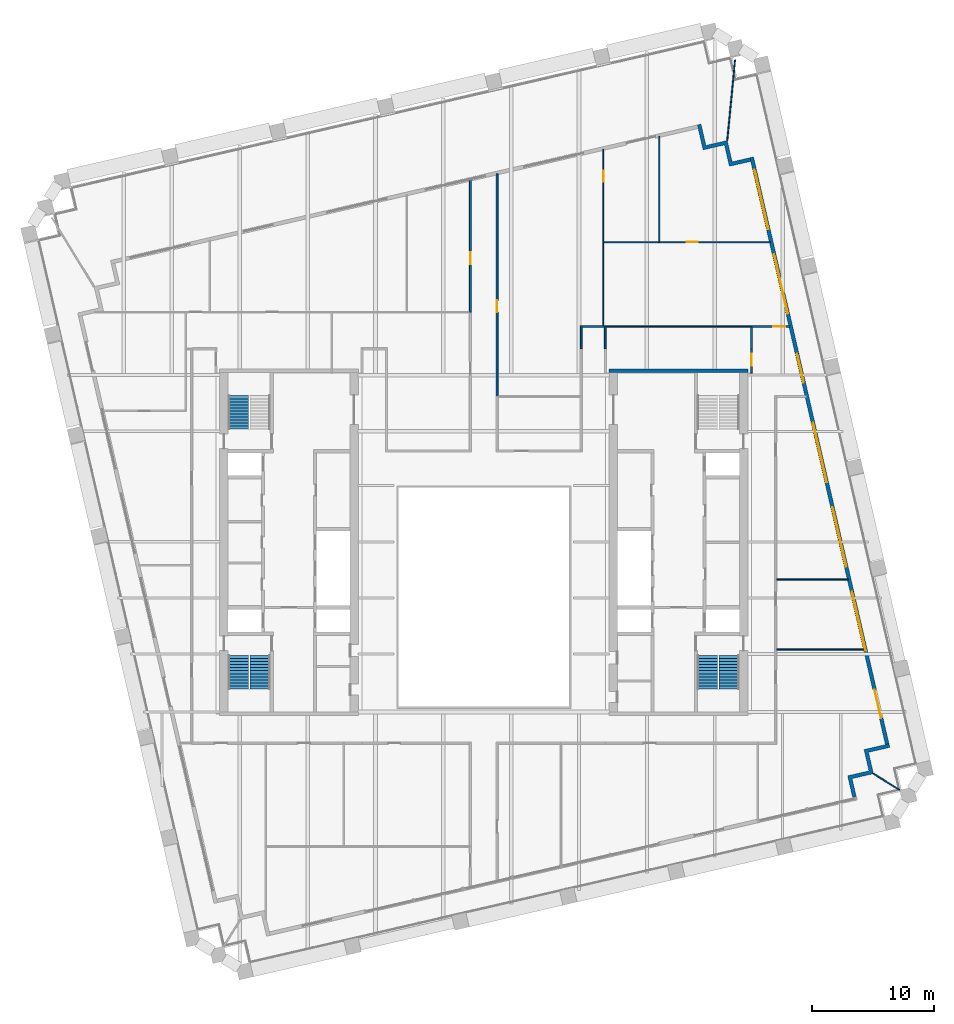
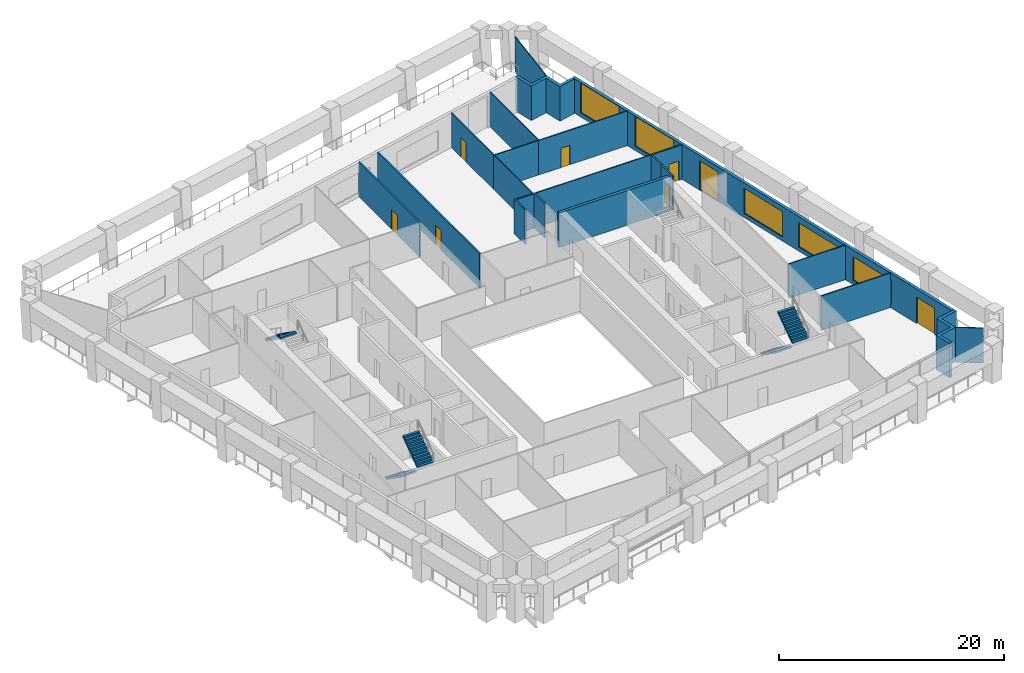
# One storey, part 11 of 14: 22 walls, 8 doors, 5 stair flights, 5 windows, 13 openings, 3 elements without a shape of their own.
"""IFC4 building model written with IfcOpenShell, lengths in metres."""

from ifc_helpers import new_model, si_unit, direction, frame, frame_2d, origin, place, context, subcontext, project, spatial, polyline, rectangle, outline, extrude, material, layer, layer_set, type_object, element, fill, aggregate, save


model = new_model("IFC4")

# Units and contexts
model_context = context("Model", 3, precision=1e-05, world=origin(), true_north=direction((0.0, 1.0)))
body_context = subcontext(model_context, "Body", "Model", "MODEL_VIEW")
ifc_project = project(units=[si_unit("LENGTHUNIT", "METRE"), si_unit("AREAUNIT", "SQUARE_METRE"), si_unit("VOLUMEUNIT", "CUBIC_METRE"), si_unit("PLANEANGLEUNIT", "RADIAN"), si_unit("MASSUNIT", "GRAM", prefix="KILO")], contexts=[model_context])

# Site, building, storey
site_placement = place(None, origin())
site = spatial("IfcSite", under=ifc_project, at=site_placement, CompositionType="ELEMENT")
building_placement = place(site_placement, origin())
building = spatial("IfcBuilding", under=site, at=building_placement, Name="Ogive Exchange Tower", CompositionType="ELEMENT")
storey_placement = place(building_placement, frame((0.0, 0.0, 222.0)))
storey = spatial("IfcBuildingStorey", under=building, at=storey_placement, Name="L49", CompositionType="ELEMENT", Elevation=222.0)

# Wall, opening, door
ifc_material_1 = material(Name="Fire partition EI 60 150")
ifc_layer_1 = layer(ifc_material_1, 0.14990234375)
ifc_layer_set_1 = layer_set([ifc_layer_1], Name="Fire partition EI 60 150")
wall_type_1 = type_object("IfcWallType", Name="Fire partition EI 60 150", PredefinedType="PARTITIONING", material=ifc_layer_set_1)
wall_1_placement = place(storey_placement, frame((-1.10009765625, 30.419921875, 0.0), z_axis=(0.0, 0.0, 1.0), x_axis=(0.0, 1.0, 0.0)))
wall_1 = element("IfcWall", 1, at=wall_1_placement, inside=storey, type_object=wall_type_1, Name="L49-PWL-035", PredefinedType="PARTITIONING", context=body_context, shape_type="SweptSolid", body=[
    extrude(rectangle(XDim=10.85009765625, YDim=0.14990234375, at=frame_2d((5.425048828125, 0.0))), origin(), (0.0, 0.0, 1.0), 3.75),
])
opening_1_placement = place(wall_1_placement, frame((3.929931640625, 0.0, 0.0)))
opening_1 = element("IfcOpeningElement", 2, at=opening_1_placement, cuts=wall_1, Name="Opening L49-I01", PredefinedType="OPENING", context=body_context, shape_type="SweptSolid", body=[
    extrude(rectangle(XDim=1.0, YDim=2.10009765625, at=frame_2d((0.5, 1.050048828125))), frame((0.0, 0.0849609375, 0.0), z_axis=(0.0, -1.0, 0.0), x_axis=(1.0, 0.0, 0.0)), (0.0, 0.0, 1.0), 0.169921875),
])
ifc_material_2 = material(Name="Fire door FD 30S 1000 x 2100")
door_type_1 = type_object("IfcDoorType", Name="Fire door FD 30S 1000 x 2100", OperationType="NOTDEFINED", PredefinedType="DOOR", material=ifc_material_2)
door_1_placement = place(opening_1_placement, origin())
door_1 = element("IfcDoor", 3, at=door_1_placement, inside=storey, type_object=door_type_1, Name="L49-IDR-001", ObjectType="DT3", OperationType="SINGLE_SWING_RIGHT", OverallHeight=2.10009765625, OverallWidth=1.0, PredefinedType="DOOR", context=body_context, shape_type="SweptSolid", body=[
    extrude(rectangle(XDim=1.0, YDim=2.10009765625, at=frame_2d((0.5, 1.050048828125))), frame((0.0, 0.02490234375, 0.0), z_axis=(0.0, -1.0, 0.0), x_axis=(1.0, 0.0, 0.0)), (0.0, 0.0, 1.0), 0.050048828125),
])
fill(opening_1, door_1)

wall_2_placement = place(storey_placement, frame((1.10009765625, 41.778076171875, 0.0), z_axis=(0.0, 0.0, 1.0), x_axis=(0.0, -1.0, 0.0)))
wall_2 = element("IfcWall", 4, at=wall_2_placement, inside=storey, type_object=wall_type_1, Name="L49-PWL-040", PredefinedType="PARTITIONING", context=body_context, shape_type="SweptSolid", body=[
    extrude(rectangle(XDim=18.2880859375, YDim=0.14990234375, at=frame_2d((9.14404296875, 0.0))), origin(), (0.0, 0.0, 1.0), 3.75),
])
opening_2_placement = place(wall_2_placement, frame((10.387939453125, 0.0, 0.0)))
opening_2 = element("IfcOpeningElement", 5, at=opening_2_placement, cuts=wall_2, Name="Opening L49-I20", PredefinedType="OPENING", context=body_context, shape_type="SweptSolid", body=[
    extrude(rectangle(XDim=1.0, YDim=2.10009765625, at=frame_2d((0.5, 1.050048828125))), frame((0.0, 0.0849609375, 0.0), z_axis=(0.0, -1.0, 0.0), x_axis=(1.0, 0.0, 0.0)), (0.0, 0.0, 1.0), 0.169921875),
])
door_2_placement = place(opening_2_placement, origin())
door_2 = element("IfcDoor", 6, at=door_2_placement, inside=storey, type_object=door_type_1, Name="L49-IDR-020", ObjectType="DT3", OperationType="SINGLE_SWING_RIGHT", OverallHeight=2.10009765625, OverallWidth=1.0, PredefinedType="DOOR", context=body_context, shape_type="SweptSolid", body=[
    extrude(rectangle(XDim=1.0, YDim=2.10009765625, at=frame_2d((0.5, 1.050048828125))), frame((0.0, 0.02490234375, 0.0), z_axis=(0.0, -1.0, 0.0), x_axis=(1.0, 0.0, 0.0)), (0.0, 0.0, 1.0), 0.050048828125),
])
fill(opening_2, door_2)

# Walls
wall_3_placement = place(storey_placement, frame((8.010009765625, 27.39990234375, 0.0), z_axis=(0.0, 0.0, 1.0), x_axis=(0.0, 1.0, 0.0)))
element("IfcWall", 7, at=wall_3_placement, inside=storey, type_object=wall_type_1, Name="L49-PWL-045", PredefinedType="PARTITIONING", context=body_context, shape_type="SweptSolid", body=[
    extrude(rectangle(XDim=1.9150390625, YDim=0.14990234375, at=frame_2d((0.95751953125, 0.0))), origin(), (0.0, 0.0, 1.0), 3.75),
])
wall_4_placement = place(storey_placement, frame((8.0849609375, 29.239990234375, 0.0), z_axis=(0.0, 0.0, 1.0), x_axis=(1.0, 0.0, 0.0)))
element("IfcWall", 8, at=wall_4_placement, inside=storey, type_object=wall_type_1, Name="L49-PWL-046", PredefinedType="PARTITIONING", context=body_context, shape_type="SweptSolid", body=[
    extrude(rectangle(XDim=1.794921875, YDim=0.14990234375, at=frame_2d((0.8974609375, 0.0))), origin(), (0.0, 0.0, 1.0), 3.75),
])
wall_5_placement = place(storey_placement, frame((9.989990234375, 29.2900390625, 0.0), z_axis=(0.0, 0.0, 1.0), x_axis=(0.0, -1.0, 0.0)))
element("IfcWall", 9, at=wall_5_placement, inside=storey, type_object=wall_type_1, Name="L49-PWL-050", PredefinedType="PARTITIONING", context=body_context, shape_type="SweptSolid", body=[
    extrude(rectangle(XDim=1.89013671875, YDim=0.14990234375, at=frame_2d((0.945068359375, 0.0))), origin(), (0.0, 0.0, 1.0), 3.75),
])

# Wall, opening, door
wall_6_placement = place(storey_placement, frame((22.0, 25.39990234375, 0.0), z_axis=(0.0, 0.0, 1.0), x_axis=(0.0, 1.0, 0.0)))
wall_6 = element("IfcWall", 10, at=wall_6_placement, inside=storey, type_object=wall_type_1, Name="L49-PWL-056", PredefinedType="PARTITIONING", context=body_context, shape_type="SweptSolid", body=[
    extrude(rectangle(XDim=2.0, YDim=0.14990234375, at=frame_2d((1.0, 0.0))), origin(), (0.0, 0.0, 1.0), 3.75),
])
opening_3_placement = place(wall_6_placement, frame((0.60009765625, 0.0, 0.0)))
opening_3 = element("IfcOpeningElement", 11, at=opening_3_placement, cuts=wall_6, Name="Opening L49-I14", PredefinedType="OPENING", context=body_context, shape_type="SweptSolid", body=[
    extrude(rectangle(XDim=1.0, YDim=2.10009765625, at=frame_2d((0.5, 1.050048828125))), frame((0.0, 0.0849609375, 0.0), z_axis=(0.0, -1.0, 0.0), x_axis=(1.0, 0.0, 0.0)), (0.0, 0.0, 1.0), 0.169921875),
])
door_3_placement = place(opening_3_placement, origin())
door_3 = element("IfcDoor", 12, at=door_3_placement, inside=storey, type_object=door_type_1, Name="L49-IDR-014", ObjectType="DT3", OperationType="SINGLE_SWING_LEFT", OverallHeight=2.10009765625, OverallWidth=1.0, PredefinedType="DOOR", context=body_context, shape_type="SweptSolid", body=[
    extrude(rectangle(XDim=1.0, YDim=2.10009765625, at=frame_2d((0.5, 1.050048828125))), frame((0.0, 0.02490234375, 0.0), z_axis=(0.0, -1.0, 0.0), x_axis=(1.0, 0.0, 0.0)), (0.0, 0.0, 1.0), 0.050048828125),
])
fill(opening_3, door_3)

# Wall
wall_7_placement = place(storey_placement, frame((22.010009765625, 27.39990234375, 0.0), z_axis=(0.0, 0.0, 1.0), x_axis=(0.0, 1.0, 0.0)))
element("IfcWall", 13, at=wall_7_placement, inside=storey, type_object=wall_type_1, Name="L49-PWL-057", PredefinedType="PARTITIONING", context=body_context, shape_type="SweptSolid", body=[
    extrude(rectangle(XDim=1.7900390625, YDim=0.14990234375, at=frame_2d((0.89501953125, 0.0))), origin(), (0.0, 0.0, 1.0), 3.75),
])

# Wall, opening, door
wall_8_placement = place(storey_placement, frame((22.010009765625, 29.239990234375, 0.0), z_axis=(0.0, 0.0, 1.0), x_axis=(1.0, 0.0, 0.0)))
wall_8 = element("IfcWall", 14, at=wall_8_placement, inside=storey, type_object=wall_type_1, Name="L49-PWL-058", PredefinedType="PARTITIONING", context=body_context, shape_type="SweptSolid", body=[
    extrude(rectangle(XDim=3.14990234375, YDim=0.14990234375, at=frame_2d((1.574951171875, 0.0))), origin(), (0.0, 0.0, 1.0), 3.75),
])
opening_4_placement = place(wall_8_placement, frame((1.77001953125, 0.0, 0.0)))
opening_4 = element("IfcOpeningElement", 15, at=opening_4_placement, cuts=wall_8, Name="Opening L49-I21", PredefinedType="OPENING", context=body_context, shape_type="SweptSolid", body=[
    extrude(rectangle(XDim=1.0, YDim=2.10009765625, at=frame_2d((0.5, 1.050048828125))), frame((0.0, 0.0849609375, 0.0), z_axis=(0.0, -1.0, 0.0), x_axis=(1.0, 0.0, 0.0)), (0.0, 0.0, 1.0), 0.169921875),
])
door_4_placement = place(opening_4_placement, origin())
door_4 = element("IfcDoor", 16, at=door_4_placement, inside=storey, type_object=door_type_1, Name="L49-IDR-021", ObjectType="DT3", OperationType="SINGLE_SWING_LEFT", OverallHeight=2.10009765625, OverallWidth=1.0, PredefinedType="DOOR", context=body_context, shape_type="SweptSolid", body=[
    extrude(rectangle(XDim=1.0, YDim=2.10009765625, at=frame_2d((0.5, 1.050048828125))), frame((0.0, 0.02490234375, 0.0), z_axis=(0.0, -1.0, 0.0), x_axis=(1.0, 0.0, 0.0)), (0.0, 0.0, 1.0), 0.050048828125),
])
fill(opening_4, door_4)

# Wall, openings, windows, doors
ifc_material_3 = material(Name="Precast concrete C40/50", Category="concrete")
ifc_layer_2 = layer(ifc_material_3, 0.300048828125)
ifc_layer_set_2 = layer_set([ifc_layer_2], Name="Limestone-faced wall 300")
wall_type_2 = type_object("IfcWallType", Name="Limestone-faced wall 300", PredefinedType="STANDARD", material=ifc_layer_set_2)
wall_9_placement = place(storey_placement, frame((33.1572265625, -5.092041015625, 0.0), z_axis=(0.0, 0.0, 1.0), x_axis=(-0.224950279389, 0.974370243697, 0.0)))
wall_9 = element("IfcWall", 17, at=wall_9_placement, inside=storey, type_object=wall_type_2, Name="External wall E3", PredefinedType="STANDARD", context=body_context, shape_type="SweptSolid", body=[
    extrude(rectangle(XDim=49.499755859375, YDim=0.300048828125, at=frame_2d((24.75, 0.0))), origin(), (0.0, 0.0, 1.0), 3.75),
])
opening_5_placement = place(wall_9_placement, frame((2.20703125, 0.0, 0.0)))
opening_5 = element("IfcOpeningElement", 18, at=opening_5_placement, cuts=wall_9, Name="Opening D1Q", PredefinedType="OPENING", context=body_context, shape_type="SweptSolid", body=[
    extrude(rectangle(XDim=2.39990234375, YDim=2.875, at=frame_2d((1.199951171875, 1.4375))), frame((0.0, 0.159912109375, 0.0), z_axis=(0.0, -1.0, 0.0), x_axis=(1.0, 0.0, 0.0)), (0.0, 0.0, 1.0), 0.320068359375),
])
opening_6_placement = place(wall_9_placement, frame((7.871337890625, 0.0, 0.449951171875)))
opening_6 = element("IfcOpeningElement", 19, at=opening_6_placement, cuts=wall_9, Name="Opening W2K", PredefinedType="OPENING", context=body_context, shape_type="SweptSolid", body=[
    extrude(rectangle(XDim=5.0, YDim=2.574951171875, at=frame_2d((2.5, 1.28759765625))), frame((0.0, 0.159912109375, 0.0), z_axis=(0.0, -1.0, 0.0), x_axis=(1.0, 0.0, 0.0)), (0.0, 0.0, 1.0), 0.320068359375),
])
opening_7_placement = place(wall_9_placement, frame((14.985595703125, 0.0, 0.449951171875)))
opening_7 = element("IfcOpeningElement", 20, at=opening_7_placement, cuts=wall_9, Name="Opening W2J", PredefinedType="OPENING", context=body_context, shape_type="SweptSolid", body=[
    extrude(rectangle(XDim=5.0, YDim=2.625, at=frame_2d((2.5, 1.3125))), frame((0.0, 0.159912109375, 0.0), z_axis=(0.0, -1.0, 0.0), x_axis=(1.0, 0.0, 0.0)), (0.0, 0.0, 1.0), 0.320068359375),
])
opening_8_placement = place(wall_9_placement, frame((22.10009765625, 0.0, 0.449951171875)))
opening_8 = element("IfcOpeningElement", 21, at=opening_8_placement, cuts=wall_9, Name="Opening W2F", PredefinedType="OPENING", context=body_context, shape_type="SweptSolid", body=[
    extrude(rectangle(XDim=5.0, YDim=2.75, at=frame_2d((2.5, 1.375))), frame((0.0, 0.159912109375, 0.0), z_axis=(0.0, -1.0, 0.0), x_axis=(1.0, 0.0, 0.0)), (0.0, 0.0, 1.0), 0.320068359375),
])
opening_9_placement = place(wall_9_placement, frame((30.51416015625, 0.0, 0.0)))
opening_9 = element("IfcOpeningElement", 22, at=opening_9_placement, cuts=wall_9, Name="Opening D1H", PredefinedType="OPENING", context=body_context, shape_type="SweptSolid", body=[
    extrude(rectangle(XDim=2.39990234375, YDim=3.199951171875, at=frame_2d((1.199951171875, 1.60009765625))), frame((0.0, 0.159912109375, 0.0), z_axis=(0.0, -1.0, 0.0), x_axis=(1.0, 0.0, 0.0)), (0.0, 0.0, 1.0), 0.320068359375),
])
opening_10_placement = place(wall_9_placement, frame((36.32861328125, 0.0, 0.449951171875)))
opening_10 = element("IfcOpeningElement", 23, at=opening_10_placement, cuts=wall_9, Name="Opening W2", PredefinedType="OPENING", context=body_context, shape_type="SweptSolid", body=[
    extrude(rectangle(XDim=5.0, YDim=3.25, at=frame_2d((2.5, 1.625))), frame((0.0, 0.159912109375, 0.0), z_axis=(0.0, -1.0, 0.0), x_axis=(1.0, 0.0, 0.0)), (0.0, 0.0, 1.0), 0.320068359375),
])
opening_11_placement = place(wall_9_placement, frame((43.44287109375, 0.0, 0.449951171875)))
opening_11 = element("IfcOpeningElement", 24, at=opening_11_placement, cuts=wall_9, Name="Opening W2", PredefinedType="OPENING", context=body_context, shape_type="SweptSolid", body=[
    extrude(rectangle(XDim=5.0, YDim=3.25, at=frame_2d((2.5, 1.625))), frame((0.0, 0.159912109375, 0.0), z_axis=(0.0, -1.0, 0.0), x_axis=(1.0, 0.0, 0.0)), (0.0, 0.0, 1.0), 0.320068359375),
])
ifc_material_4 = material(Name="Clear glass in bronze frame", Category="glass")
window_type_1 = type_object("IfcWindowType", Name="Executive lancet window 5000 x 2575", PartitioningType="DOUBLE_PANEL_VERTICAL", PredefinedType="WINDOW", material=ifc_material_4)
window_1_placement = place(opening_6_placement, origin())
window_1 = element("IfcWindow", 25, at=window_1_placement, inside=storey, type_object=window_type_1, Name="Window E01", OverallHeight=2.574951171875, OverallWidth=5.0, PartitioningType="DOUBLE_PANEL_VERTICAL", PredefinedType="WINDOW", context=body_context, shape_type="SweptSolid", body=[
    extrude(rectangle(XDim=5.0, YDim=2.574951171875, at=frame_2d((2.5, 1.28759765625))), frame((0.0, 0.030029296875, 0.0), z_axis=(0.0, -1.0, 0.0), x_axis=(1.0, 0.0, 0.0)), (0.0, 0.0, 1.0), 0.06005859375),
])
fill(opening_6, window_1)
window_type_2 = type_object("IfcWindowType", Name="Executive lancet window 5000 x 2625", PartitioningType="DOUBLE_PANEL_VERTICAL", PredefinedType="WINDOW", material=ifc_material_4)
window_2_placement = place(opening_7_placement, origin())
window_2 = element("IfcWindow", 26, at=window_2_placement, inside=storey, type_object=window_type_2, Name="Window E02", OverallHeight=2.625, OverallWidth=5.0, PartitioningType="DOUBLE_PANEL_VERTICAL", PredefinedType="WINDOW", context=body_context, shape_type="SweptSolid", body=[
    extrude(rectangle(XDim=5.0, YDim=2.625, at=frame_2d((2.5, 1.3125))), frame((0.0, 0.030029296875, 0.0), z_axis=(0.0, -1.0, 0.0), x_axis=(1.0, 0.0, 0.0)), (0.0, 0.0, 1.0), 0.06005859375),
])
fill(opening_7, window_2)
window_type_3 = type_object("IfcWindowType", Name="Executive lancet window 5000 x 2750", PartitioningType="DOUBLE_PANEL_VERTICAL", PredefinedType="WINDOW", material=ifc_material_4)
window_3_placement = place(opening_8_placement, origin())
window_3 = element("IfcWindow", 27, at=window_3_placement, inside=storey, type_object=window_type_3, Name="Window E03", OverallHeight=2.75, OverallWidth=5.0, PartitioningType="DOUBLE_PANEL_VERTICAL", PredefinedType="WINDOW", context=body_context, shape_type="SweptSolid", body=[
    extrude(rectangle(XDim=5.0, YDim=2.75, at=frame_2d((2.5, 1.375))), frame((0.0, 0.030029296875, 0.0), z_axis=(0.0, -1.0, 0.0), x_axis=(1.0, 0.0, 0.0)), (0.0, 0.0, 1.0), 0.06005859375),
])
fill(opening_8, window_3)
window_type_4 = type_object("IfcWindowType", Name="Executive lancet window 5000 x 3250", PartitioningType="DOUBLE_PANEL_VERTICAL", PredefinedType="WINDOW", material=ifc_material_4)
window_4_placement = place(opening_10_placement, origin())
window_4 = element("IfcWindow", 28, at=window_4_placement, inside=storey, type_object=window_type_4, Name="Window E05", OverallHeight=3.25, OverallWidth=5.0, PartitioningType="DOUBLE_PANEL_VERTICAL", PredefinedType="WINDOW", context=body_context, shape_type="SweptSolid", body=[
    extrude(rectangle(XDim=5.0, YDim=3.25, at=frame_2d((2.5, 1.625))), frame((0.0, 0.030029296875, 0.0), z_axis=(0.0, -1.0, 0.0), x_axis=(1.0, 0.0, 0.0)), (0.0, 0.0, 1.0), 0.06005859375),
])
fill(opening_10, window_4)
window_5_placement = place(opening_11_placement, origin())
window_5 = element("IfcWindow", 29, at=window_5_placement, inside=storey, type_object=window_type_4, Name="Window E06", OverallHeight=3.25, OverallWidth=5.0, PartitioningType="DOUBLE_PANEL_VERTICAL", PredefinedType="WINDOW", context=body_context, shape_type="SweptSolid", body=[
    extrude(rectangle(XDim=5.0, YDim=3.25, at=frame_2d((2.5, 1.625))), frame((0.0, 0.030029296875, 0.0), z_axis=(0.0, -1.0, 0.0), x_axis=(1.0, 0.0, 0.0)), (0.0, 0.0, 1.0), 0.06005859375),
])
fill(opening_11, window_5)
door_type_2 = type_object("IfcDoorType", Name="Sliding loggia door 2400 x 2875", OperationType="DOUBLE_DOOR_SLIDING", PredefinedType="DOOR", material=ifc_material_4)
door_5_placement = place(opening_5_placement, origin())
door_5 = element("IfcDoor", 30, at=door_5_placement, inside=storey, type_object=door_type_2, Name="Loggia door E00", OperationType="DOUBLE_DOOR_SLIDING", OverallHeight=2.875, OverallWidth=2.39990234375, PredefinedType="DOOR", context=body_context, shape_type="SweptSolid", body=[
    extrude(rectangle(XDim=2.39990234375, YDim=2.875, at=frame_2d((1.199951171875, 1.4375))), frame((0.0, 0.02490234375, 0.0), z_axis=(0.0, -1.0, 0.0), x_axis=(1.0, 0.0, 0.0)), (0.0, 0.0, 1.0), 0.050048828125),
])
fill(opening_5, door_5)
door_type_3 = type_object("IfcDoorType", Name="Sliding loggia door 2400 x 3200", OperationType="DOUBLE_DOOR_SLIDING", PredefinedType="DOOR", material=ifc_material_4)
door_6_placement = place(opening_9_placement, origin())
door_6 = element("IfcDoor", 31, at=door_6_placement, inside=storey, type_object=door_type_3, Name="Loggia door E04", OperationType="DOUBLE_DOOR_SLIDING", OverallHeight=3.199951171875, OverallWidth=2.39990234375, PredefinedType="DOOR", context=body_context, shape_type="SweptSolid", body=[
    extrude(rectangle(XDim=2.39990234375, YDim=3.199951171875, at=frame_2d((1.199951171875, 1.60009765625))), frame((0.0, 0.02490234375, 0.0), z_axis=(0.0, -1.0, 0.0), x_axis=(1.0, 0.0, 0.0)), (0.0, 0.0, 1.0), 0.050048828125),
])
fill(opening_9, door_6)

# Walls
wall_10_placement = place(storey_placement, origin())
element("IfcWall", 32, at=wall_10_placement, inside=storey, type_object=wall_type_2, Name="External corner wall C1", PredefinedType="STANDARD", context=body_context, shape_type="SweptSolid", body=[
    extrude(outline(polyline([(31.662109375, -7.28466796875), (31.257080078125, -5.53076171875), (33.30322265625, -5.058349609375), (33.370849609375, -5.3505859375), (31.616943359375, -5.755615234375), (32.02197265625, -7.509521484375), (30.26806640625, -7.914306640625), (30.60546875, -9.3759765625), (30.31298828125, -9.443359375), (29.908203125, -7.689697265625), (31.662109375, -7.28466796875)])), origin(), (0.0, 0.0, 1.0), 3.75),
])
wall_11_placement = place(storey_placement, origin())
element("IfcWall", 33, at=wall_11_placement, inside=storey, type_object=wall_type_2, Name="External corner wall C2", PredefinedType="STANDARD", context=body_context, shape_type="SweptSolid", body=[
    extrude(outline(polyline([(19.78466796875, 44.162109375), (18.03076171875, 43.757080078125), (17.558349609375, 45.80322265625), (17.8505859375, 45.870849609375), (18.255615234375, 44.116943359375), (20.009521484375, 44.52197265625), (20.414306640625, 42.76806640625), (21.8759765625, 43.10546875), (21.943359375, 42.81298828125), (20.189697265625, 42.408203125), (19.78466796875, 44.162109375)])), origin(), (0.0, 0.0, 1.0), 3.75),
])
ifc_material_5 = material(Name="Laminated safety glass in steel frame", Category="steel")
ifc_layer_3 = layer(ifc_material_5, 0.10009765625)
ifc_layer_set_3 = layer_set([ifc_layer_3], Name="Loggia end screen 100")
wall_type_3 = type_object("IfcWallType", Name="Loggia end screen 100", PredefinedType="STANDARD", material=ifc_layer_set_3)
wall_12_placement = place(storey_placement, frame((32.02197265625, -7.509521484375, -0.050048828125), z_axis=(0.0, 0.0, 1.0), x_axis=(0.848047176257, -0.529920736377, 0.0)))
element("IfcWall", 34, at=wall_12_placement, inside=storey, type_object=wall_type_3, Name="Loggia end screen C1", PredefinedType="STANDARD", context=body_context, shape_type="SweptSolid", body=[
    extrude(rectangle(XDim=2.525634765625, YDim=0.10009765625, at=frame_2d((1.2626953125, 0.0))), origin(), (0.0, 0.0, 1.0), 3.800048828125),
])
wall_13_placement = place(storey_placement, frame((20.009521484375, 44.52197265625, -0.050048828125), z_axis=(0.0, 0.0, 1.0), x_axis=(0.097239826171, 0.995260978943, 0.0)))
element("IfcWall", 35, at=wall_13_placement, inside=storey, type_object=wall_type_3, Name="Loggia end screen C2", PredefinedType="STANDARD", context=body_context, shape_type="SweptSolid", body=[
    extrude(rectangle(XDim=6.663330078125, YDim=0.10009765625, at=frame_2d((3.33154296875, 0.0))), origin(), (0.0, 0.0, 1.0), 3.800048828125),
])
ifc_material_6 = material(Name="Partition 100 gypsum")
ifc_layer_4 = layer(ifc_material_6, 0.10009765625)
ifc_layer_set_4 = layer_set([ifc_layer_4], Name="Partition 100 gypsum")
wall_type_4 = type_object("IfcWallType", Name="Partition 100 gypsum", PredefinedType="PARTITIONING", material=ifc_layer_set_4)
wall_14_placement = place(storey_placement, frame((9.830078125, 36.219970703125, 0.0), z_axis=(0.0, 0.0, 1.0), x_axis=(0.0, -1.0, 0.0)))
element("IfcWall", 36, at=wall_14_placement, inside=storey, type_object=wall_type_4, Name="L49-PWL-047", PredefinedType="PARTITIONING", context=body_context, shape_type="SweptSolid", body=[
    extrude(rectangle(XDim=6.905029296875, YDim=0.10009765625, at=frame_2d((3.45263671875, 0.0))), origin(), (0.0, 0.0, 1.0), 3.75),
])
wall_15_placement = place(storey_placement, frame((9.8798828125, 36.169921875, 0.0), z_axis=(0.0, 0.0, 1.0), x_axis=(1.0, 0.0, 0.0)))
element("IfcWall", 37, at=wall_15_placement, inside=storey, type_object=wall_type_4, Name="L49-PWL-048", PredefinedType="PARTITIONING", context=body_context, shape_type="SweptSolid", body=[
    extrude(rectangle(XDim=4.5, YDim=0.10009765625, at=frame_2d((2.25, 0.0))), origin(), (0.0, 0.0, 1.0), 3.75),
])

# Wall, opening, door
wall_16_placement = place(storey_placement, frame((9.830078125, 43.7939453125, 0.0), z_axis=(0.0, 0.0, 1.0), x_axis=(0.0, -1.0, 0.0)))
wall_16 = element("IfcWall", 38, at=wall_16_placement, inside=storey, type_object=wall_type_4, Name="L49-PWL-049", PredefinedType="PARTITIONING", context=body_context, shape_type="SweptSolid", body=[
    extrude(rectangle(XDim=7.6240234375, YDim=0.10009765625, at=frame_2d((3.81201171875, 0.0))), origin(), (0.0, 0.0, 1.0), 3.75),
])
opening_12_placement = place(wall_16_placement, frame((1.77392578125, 0.0, 0.0)))
opening_12 = element("IfcOpeningElement", 39, at=opening_12_placement, cuts=wall_16, Name="Opening L49-I22", PredefinedType="OPENING", context=body_context, shape_type="SweptSolid", body=[
    extrude(rectangle(XDim=0.89990234375, YDim=2.10009765625, at=frame_2d((0.449951171875, 1.050048828125))), frame((0.0, 0.06005859375, 0.0), z_axis=(0.0, -1.0, 0.0), x_axis=(1.0, 0.0, 0.0)), (0.0, 0.0, 1.0), 0.1201171875),
])
ifc_material_7 = material(Name="Door 900 x 2100")
door_type_4 = type_object("IfcDoorType", Name="Door 900 x 2100", OperationType="NOTDEFINED", PredefinedType="DOOR", material=ifc_material_7)
door_7_placement = place(opening_12_placement, origin())
door_7 = element("IfcDoor", 40, at=door_7_placement, inside=storey, type_object=door_type_4, Name="L49-IDR-022", ObjectType="DT1", OperationType="SINGLE_SWING_RIGHT", OverallHeight=2.10009765625, OverallWidth=0.89990234375, PredefinedType="DOOR", context=body_context, shape_type="SweptSolid", body=[
    extrude(rectangle(XDim=0.89990234375, YDim=2.10009765625, at=frame_2d((0.449951171875, 1.050048828125))), frame((0.0, 0.02490234375, 0.0), z_axis=(0.0, -1.0, 0.0), x_axis=(1.0, 0.0, 0.0)), (0.0, 0.0, 1.0), 0.050048828125),
])
fill(opening_12, door_7)

# Wall
wall_17_placement = place(storey_placement, frame((10.06494140625, 29.239990234375, 0.0), z_axis=(0.0, 0.0, 1.0), x_axis=(1.0, 0.0, 0.0)))
element("IfcWall", 41, at=wall_17_placement, inside=storey, type_object=wall_type_4, Name="L49-PWL-051", PredefinedType="PARTITIONING", context=body_context, shape_type="SweptSolid", body=[
    extrude(rectangle(XDim=11.945068359375, YDim=0.10009765625, at=frame_2d((5.97265625, 0.0))), origin(), (0.0, 0.0, 1.0), 3.75),
])

# Wall, opening, door
wall_18_placement = place(storey_placement, frame((14.3798828125, 36.169921875, 0.0), z_axis=(0.0, 0.0, 1.0), x_axis=(1.0, 0.0, 0.0)))
wall_18 = element("IfcWall", 42, at=wall_18_placement, inside=storey, type_object=wall_type_4, Name="L49-PWL-054", PredefinedType="PARTITIONING", context=body_context, shape_type="SweptSolid", body=[
    extrude(rectangle(XDim=9.18017578125, YDim=0.10009765625, at=frame_2d((4.590087890625, 0.0))), origin(), (0.0, 0.0, 1.0), 3.75),
])
opening_13_placement = place(wall_18_placement, frame((2.300048828125, 0.0, 0.0)))
opening_13 = element("IfcOpeningElement", 43, at=opening_13_placement, cuts=wall_18, Name="Opening L49-I23", PredefinedType="OPENING", context=body_context, shape_type="SweptSolid", body=[
    extrude(rectangle(XDim=0.89990234375, YDim=2.10009765625, at=frame_2d((0.449951171875, 1.050048828125))), frame((0.0, 0.06005859375, 0.0), z_axis=(0.0, -1.0, 0.0), x_axis=(1.0, 0.0, 0.0)), (0.0, 0.0, 1.0), 0.1201171875),
])
door_8_placement = place(opening_13_placement, origin())
door_8 = element("IfcDoor", 44, at=door_8_placement, inside=storey, type_object=door_type_4, Name="L49-IDR-023", ObjectType="DT1", OperationType="SINGLE_SWING_RIGHT", OverallHeight=2.10009765625, OverallWidth=0.89990234375, PredefinedType="DOOR", context=body_context, shape_type="SweptSolid", body=[
    extrude(rectangle(XDim=0.89990234375, YDim=2.10009765625, at=frame_2d((0.449951171875, 1.050048828125))), frame((0.0, 0.02490234375, 0.0), z_axis=(0.0, -1.0, 0.0), x_axis=(1.0, 0.0, 0.0)), (0.0, 0.0, 1.0), 0.050048828125),
])
fill(opening_13, door_8)

# Walls
wall_19_placement = place(storey_placement, frame((14.429931640625, 44.85595703125, 0.0), z_axis=(0.0, 0.0, 1.0), x_axis=(0.0, -1.0, 0.0)))
element("IfcWall", 45, at=wall_19_placement, inside=storey, type_object=wall_type_4, Name="L49-PWL-055", PredefinedType="PARTITIONING", context=body_context, shape_type="SweptSolid", body=[
    extrude(rectangle(XDim=8.635986328125, YDim=0.10009765625, at=frame_2d((4.31787109375, 0.0))), origin(), (0.0, 0.0, 1.0), 3.75),
])
wall_20_placement = place(storey_placement, frame((29.958984375, 8.449951171875, 0.0), z_axis=(0.0, 0.0, 1.0), x_axis=(-1.0, 0.0, 0.0)))
element("IfcWall", 46, at=wall_20_placement, inside=storey, type_object=wall_type_4, Name="L49-PWL-066", PredefinedType="PARTITIONING", context=body_context, shape_type="SweptSolid", body=[
    extrude(rectangle(XDim=5.884033203125, YDim=0.10009765625, at=frame_2d((2.94189453125, 0.0))), origin(), (0.0, 0.0, 1.0), 3.75),
])
wall_21_placement = place(storey_placement, frame((31.2890625, 2.68994140625, 0.0), z_axis=(0.0, 0.0, 1.0), x_axis=(-1.0, 0.0, 0.0)))
element("IfcWall", 47, at=wall_21_placement, inside=storey, type_object=wall_type_4, Name="L49-PWL-067", PredefinedType="PARTITIONING", context=body_context, shape_type="SweptSolid", body=[
    extrude(rectangle(XDim=7.214111328125, YDim=0.10009765625, at=frame_2d((3.60693359375, 0.0))), origin(), (0.0, 0.0, 1.0), 3.75),
])
ifc_material_8 = material(Name="Concrete C70/85", Category="concrete")
ifc_layer_5 = layer(ifc_material_8, 0.300048828125)
ifc_layer_set_5 = layer_set([ifc_layer_5], Name="RC core wall 300 C70/85")
wall_type_5 = type_object("IfcWallType", Name="RC core wall 300 C70/85", PredefinedType="SHEAR", material=ifc_layer_set_5)
wall_22_placement = place(storey_placement, frame((10.300048828125, 25.60009765625, 0.0), z_axis=(0.0, 0.0, 1.0), x_axis=(1.0, 0.0, 0.0)))
element("IfcWall", 48, at=wall_22_placement, inside=storey, type_object=wall_type_5, Name="E north end wall", PredefinedType="SHEAR", context=body_context, shape_type="SweptSolid", body=[
    extrude(rectangle(XDim=11.39990234375, YDim=0.300048828125, at=frame_2d((5.699951171875, 0.0))), origin(), (0.0, 0.0, 1.0), 3.75),
])

# Stair, stair flights
ifc_material_9 = material(Name="Concrete C40/50", Category="concrete")
stair_type = type_object("IfcStairType", Name="Exit stair 1650 wide", PredefinedType="HALF_TURN_STAIR", material=ifc_material_9)
stair_1_placement = place(storey_placement, origin())
stair_1 = element("IfcStair", 49, at=stair_1_placement, inside=storey, type_object=stair_type, Name="L49 exit stair ST1", PredefinedType="HALF_TURN_STAIR")
stair_flight_type = type_object("IfcStairFlightType", Name="Stair flight 1650 wide", PredefinedType="STRAIGHT", material=ifc_material_9)
stair_flight_1_placement = place(storey_placement, frame((-20.175048828125, 2.199951171875, 0.0), z_axis=(0.0, 0.0, 1.0), x_axis=(0.0, -1.0, 0.0)))
stair_flight_1 = element("IfcStairFlight", 50, at=stair_flight_1_placement, type_object=stair_flight_type, Name="ST1 flight 1", NumberOfRisers=12, NumberOfTreads=11, PredefinedType="STRAIGHT", RiserHeight=0.175, TreadLength=0.25, context=body_context, shape_type="SweptSolid", body=[
    extrude(outline(polyline([(0.0, 0.0), (0.0, 0.175048828125), (0.25, 0.175048828125), (0.25, 0.35009765625), (0.5, 0.35009765625), (0.5, 0.52490234375), (0.75, 0.52490234375), (0.75, 0.699951171875), (1.0, 0.699951171875), (1.0, 0.875), (1.25, 0.875), (1.25, 1.050048828125), (1.5, 1.050048828125), (1.5, 1.22509765625), (1.75, 1.22509765625), (1.75, 1.39990234375), (2.0, 1.39990234375), (2.0, 1.574951171875), (2.25, 1.574951171875), (2.25, 1.75), (2.5, 1.75), (2.5, 1.925048828125), (2.75, 1.925048828125), (2.75, 2.10009765625), (2.75, 1.741943359375), (0.261474609375, 0.0), (0.0, 0.0)])), frame((0.0, 0.824951171875, 0.0), z_axis=(0.0, -1.0, 0.0), x_axis=(1.0, 0.0, 0.0)), (0.0, 0.0, 1.0), 1.64990234375),
])
stair_flight_2_placement = place(storey_placement, frame((-18.375, -0.550048828125, 2.10009765625), z_axis=(0.0, 0.0, 1.0), x_axis=(0.0, 1.0, 0.0)))
stair_flight_2 = element("IfcStairFlight", 51, at=stair_flight_2_placement, type_object=stair_flight_type, Name="ST1 flight 2", NumberOfRisers=12, NumberOfTreads=11, PredefinedType="STRAIGHT", RiserHeight=0.175, TreadLength=0.25, context=body_context, shape_type="SweptSolid", body=[
    extrude(outline(polyline([(0.0, 0.0), (0.0, 0.175048828125), (0.25, 0.175048828125), (0.25, 0.35009765625), (0.5, 0.35009765625), (0.5, 0.52490234375), (0.75, 0.52490234375), (0.75, 0.699951171875), (1.0, 0.699951171875), (1.0, 0.875), (1.25, 0.875), (1.25, 1.050048828125), (1.5, 1.050048828125), (1.5, 1.22509765625), (1.75, 1.22509765625), (1.75, 1.39990234375), (2.0, 1.39990234375), (2.0, 1.574951171875), (2.25, 1.574951171875), (2.25, 1.75), (2.5, 1.75), (2.5, 1.925048828125), (2.75, 1.925048828125), (2.75, 2.10009765625), (2.75, 1.741943359375), (0.261474609375, 0.0), (0.0, 0.0)])), frame((0.0, 0.824951171875, 0.0), z_axis=(0.0, -1.0, 0.0), x_axis=(1.0, 0.0, 0.0)), (0.0, 0.0, 1.0), 1.64990234375),
])
aggregate(stair_1, [stair_flight_1, stair_flight_2])

# Stair, stair flight
stair_2_placement = place(storey_placement, origin())
stair_2 = element("IfcStair", 52, at=stair_2_placement, inside=storey, type_object=stair_type, Name="L49 exit stair ST2", PredefinedType="HALF_TURN_STAIR")
stair_flight_3_placement = place(storey_placement, frame((-20.175048828125, 23.550048828125, 2.10009765625), z_axis=(0.0, 0.0, 1.0), x_axis=(0.0, -1.0, 0.0)))
stair_flight_3 = element("IfcStairFlight", 53, at=stair_flight_3_placement, type_object=stair_flight_type, Name="ST2 flight 2", NumberOfRisers=12, NumberOfTreads=11, PredefinedType="STRAIGHT", RiserHeight=0.175, TreadLength=0.25, context=body_context, shape_type="SweptSolid", body=[
    extrude(outline(polyline([(0.0, 0.0), (0.0, 0.175048828125), (0.25, 0.175048828125), (0.25, 0.35009765625), (0.5, 0.35009765625), (0.5, 0.52490234375), (0.75, 0.52490234375), (0.75, 0.699951171875), (1.0, 0.699951171875), (1.0, 0.875), (1.25, 0.875), (1.25, 1.050048828125), (1.5, 1.050048828125), (1.5, 1.22509765625), (1.75, 1.22509765625), (1.75, 1.39990234375), (2.0, 1.39990234375), (2.0, 1.574951171875), (2.25, 1.574951171875), (2.25, 1.75), (2.5, 1.75), (2.5, 1.925048828125), (2.75, 1.925048828125), (2.75, 2.10009765625), (2.75, 1.741943359375), (0.261474609375, 0.0), (0.0, 0.0)])), frame((0.0, 0.824951171875, 0.0), z_axis=(0.0, -1.0, 0.0), x_axis=(1.0, 0.0, 0.0)), (0.0, 0.0, 1.0), 1.64990234375),
])
aggregate(stair_2, [stair_flight_3])

# Stair, stair flights
stair_3_placement = place(storey_placement, origin())
stair_3 = element("IfcStair", 54, at=stair_3_placement, inside=storey, type_object=stair_type, Name="L49 exit stair ST3", PredefinedType="HALF_TURN_STAIR")
stair_flight_4_placement = place(storey_placement, frame((18.375, 2.199951171875, 0.0), z_axis=(0.0, 0.0, 1.0), x_axis=(0.0, -1.0, 0.0)))
stair_flight_4 = element("IfcStairFlight", 55, at=stair_flight_4_placement, type_object=stair_flight_type, Name="ST3 flight 1", NumberOfRisers=12, NumberOfTreads=11, PredefinedType="STRAIGHT", RiserHeight=0.175, TreadLength=0.25, context=body_context, shape_type="SweptSolid", body=[
    extrude(outline(polyline([(0.0, 0.0), (0.0, 0.175048828125), (0.25, 0.175048828125), (0.25, 0.35009765625), (0.5, 0.35009765625), (0.5, 0.52490234375), (0.75, 0.52490234375), (0.75, 0.699951171875), (1.0, 0.699951171875), (1.0, 0.875), (1.25, 0.875), (1.25, 1.050048828125), (1.5, 1.050048828125), (1.5, 1.22509765625), (1.75, 1.22509765625), (1.75, 1.39990234375), (2.0, 1.39990234375), (2.0, 1.574951171875), (2.25, 1.574951171875), (2.25, 1.75), (2.5, 1.75), (2.5, 1.925048828125), (2.75, 1.925048828125), (2.75, 2.10009765625), (2.75, 1.741943359375), (0.261474609375, 0.0), (0.0, 0.0)])), frame((0.0, 0.824951171875, 0.0), z_axis=(0.0, -1.0, 0.0), x_axis=(1.0, 0.0, 0.0)), (0.0, 0.0, 1.0), 1.64990234375),
])
stair_flight_5_placement = place(storey_placement, frame((20.175048828125, -0.550048828125, 2.10009765625), z_axis=(0.0, 0.0, 1.0), x_axis=(0.0, 1.0, 0.0)))
stair_flight_5 = element("IfcStairFlight", 56, at=stair_flight_5_placement, type_object=stair_flight_type, Name="ST3 flight 2", NumberOfRisers=12, NumberOfTreads=11, PredefinedType="STRAIGHT", RiserHeight=0.175, TreadLength=0.25, context=body_context, shape_type="SweptSolid", body=[
    extrude(outline(polyline([(0.0, 0.0), (0.0, 0.175048828125), (0.25, 0.175048828125), (0.25, 0.35009765625), (0.5, 0.35009765625), (0.5, 0.52490234375), (0.75, 0.52490234375), (0.75, 0.699951171875), (1.0, 0.699951171875), (1.0, 0.875), (1.25, 0.875), (1.25, 1.050048828125), (1.5, 1.050048828125), (1.5, 1.22509765625), (1.75, 1.22509765625), (1.75, 1.39990234375), (2.0, 1.39990234375), (2.0, 1.574951171875), (2.25, 1.574951171875), (2.25, 1.75), (2.5, 1.75), (2.5, 1.925048828125), (2.75, 1.925048828125), (2.75, 2.10009765625), (2.75, 1.741943359375), (0.261474609375, 0.0), (0.0, 0.0)])), frame((0.0, 0.824951171875, 0.0), z_axis=(0.0, -1.0, 0.0), x_axis=(1.0, 0.0, 0.0)), (0.0, 0.0, 1.0), 1.64990234375),
])
aggregate(stair_3, [stair_flight_4, stair_flight_5])

save(model, "model.ifc")
